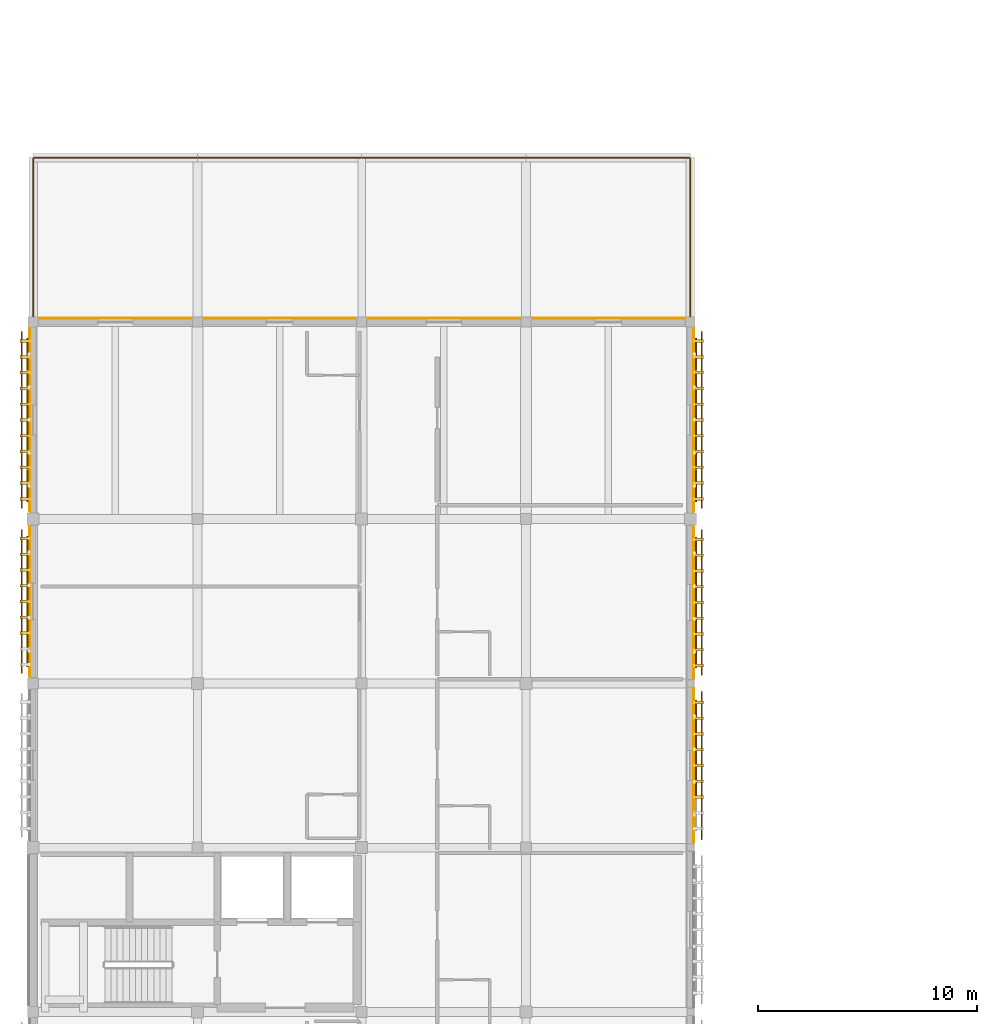
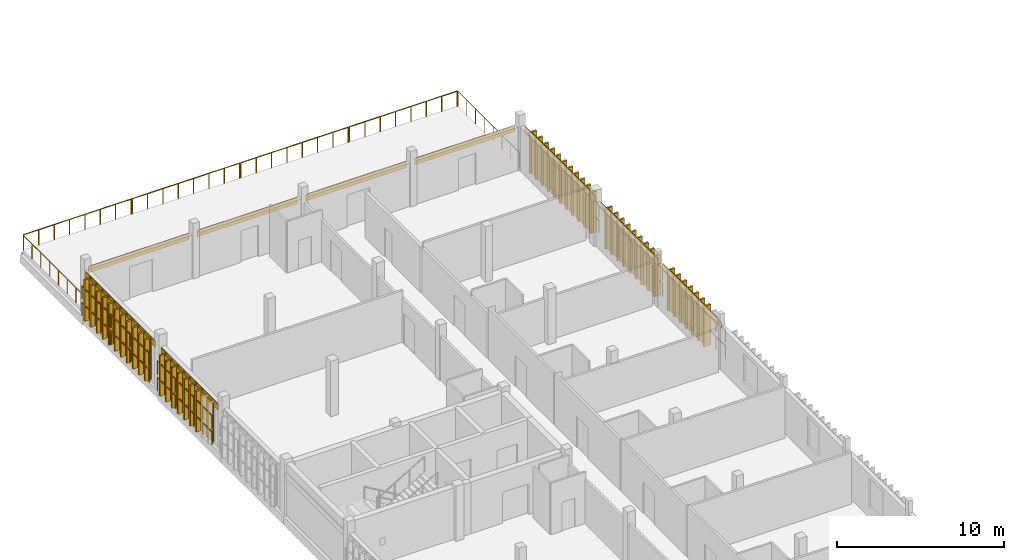
# One storey, part 17 of 17: 54 coverings, 21 shading devices, 16 railings.
"""IFC4 building model written with IfcOpenShell, lengths in metres."""

from ifc_helpers import new_model, si_unit, direction, frame, origin, origin_2d, place, context, subcontext, project, spatial, rectangle, circle, extrude, material, layer, layer_set, type_object, element, save


model = new_model("IFC4")

# Units and contexts
model_context = context("Model", 3, precision=1e-05, world=origin(), true_north=direction((0.0, 1.0)))
body_context = subcontext(model_context, "Body", "Model", "MODEL_VIEW")
ifc_project = project(units=[si_unit("LENGTHUNIT", "METRE"), si_unit("AREAUNIT", "SQUARE_METRE"), si_unit("VOLUMEUNIT", "CUBIC_METRE"), si_unit("PLANEANGLEUNIT", "RADIAN"), si_unit("MASSUNIT", "GRAM", prefix="KILO")], contexts=[model_context])

# Site, building, storey
site_placement = place(None, origin())
site = spatial("IfcSite", under=ifc_project, at=site_placement, CompositionType="ELEMENT")
building_placement = place(site_placement, origin())
building = spatial("IfcBuilding", under=site, at=building_placement, Name="Dalvernix Boulevard General Hospital", CompositionType="ELEMENT")
storey_placement = place(building_placement, frame((0.0, 0.0, 25.949951171875)))
storey = spatial("IfcBuildingStorey", under=building, at=storey_placement, Name="L06", CompositionType="ELEMENT", Elevation=25.949951171875)

# Coverings
ifc_material_1 = material(Name="Polychrome Catalan glazed ceramic spandrel tile panel")
ifc_layer_1 = layer(ifc_material_1, 0.044921875)
ifc_layer_set_1 = layer_set([ifc_layer_1], Name="Polychrome Catalan glazed ceramic spandrel tile panel (COV-CLD-01)")
covering_type_1 = type_object("IfcCoveringType", Name="COV-CLD-01", PredefinedType="CLADDING", material=ifc_layer_set_1)
covering_1_placement = place(storey_placement, frame((-0.159912109375, 72.737548828125, 2.6953125), z_axis=(0.0, 0.0, 1.0), x_axis=(0.0, 1.0, 0.0)))
element("IfcCovering", 1, at=covering_1_placement, inside=storey, type_object=covering_type_1, Name="L06 polychrome ceramic spandrel W 0-9", PredefinedType="CLADDING", context=body_context, shape_type="SweptSolid", body=[
    extrude(rectangle(XDim=6.85498046875, YDim=0.044921875, at=origin_2d()), origin(), (0.0, 0.0, 1.0), 0.449951171875),
])
covering_2_placement = place(storey_placement, frame((3.75, 85.659912109375, 2.6953125), z_axis=(0.0, 0.0, 1.0), x_axis=(1.0, 0.0, 0.0)))
element("IfcCovering", 2, at=covering_2_placement, inside=storey, type_object=covering_type_1, Name="L06 polychrome ceramic spandrel N 0-11", PredefinedType="CLADDING", context=body_context, shape_type="SweptSolid", body=[
    extrude(rectangle(XDim=6.929931640625, YDim=0.044921875, at=origin_2d()), origin(), (0.0, 0.0, 1.0), 0.449951171875),
])
covering_3_placement = place(storey_placement, frame((-0.159912109375, 81.02490234375, 2.7451171875), z_axis=(0.0, 0.0, 1.0), x_axis=(0.0, 1.0, 0.0)))
element("IfcCovering", 3, at=covering_3_placement, inside=storey, type_object=covering_type_1, Name="L06 polychrome ceramic spandrel W 0-10", PredefinedType="CLADDING", context=body_context, shape_type="SweptSolid", body=[
    extrude(rectangle(XDim=8.3798828125, YDim=0.044921875, at=origin_2d()), origin(), (0.0, 0.0, 1.0), 0.449951171875),
])
for number, where, z_axis, x_axis, name in (
    (4, (11.25, 85.659912109375, 2.6953125), (0.0, 0.0, 1.0), (1.0, 0.0, 0.0), "L06 polychrome ceramic spandrel N 1-11"),
    (5, (18.75, 85.659912109375, 2.6953125), (0.0, 0.0, 1.0), (1.0, 0.0, 0.0), "L06 polychrome ceramic spandrel N 2-11"),
):
    element("IfcCovering", number, at=place(storey_placement, frame(where, z_axis=z_axis, x_axis=x_axis)), inside=storey, type_object=covering_type_1, Name=name, PredefinedType="CLADDING", context=body_context, shape_type="SweptSolid", body=[
        extrude(rectangle(XDim=6.929931640625, YDim=0.044921875, at=origin_2d()), origin(), (0.0, 0.0, 1.0), 0.449951171875),
    ])
covering_4_placement = place(storey_placement, frame((30.159912109375, 65.25, 2.6953125), z_axis=(0.0, 0.0, 1.0), x_axis=(0.0, -1.0, 0.0)))
element("IfcCovering", 6, at=covering_4_placement, inside=storey, type_object=covering_type_1, Name="L06 polychrome ceramic spandrel E 4-8", PredefinedType="CLADDING", context=body_context, shape_type="SweptSolid", body=[
    extrude(rectangle(XDim=7.06005859375, YDim=0.044921875, at=origin_2d()), origin(), (0.0, 0.0, 1.0), 0.449951171875),
])
covering_5_placement = place(storey_placement, frame((30.159912109375, 72.6923828125, 2.6953125), z_axis=(0.0, 0.0, 1.0), x_axis=(0.0, -1.0, 0.0)))
element("IfcCovering", 7, at=covering_5_placement, inside=storey, type_object=covering_type_1, Name="L06 polychrome ceramic spandrel E 4-9", PredefinedType="CLADDING", context=body_context, shape_type="SweptSolid", body=[
    extrude(rectangle(XDim=6.945068359375, YDim=0.044921875, at=origin_2d()), origin(), (0.0, 0.0, 1.0), 0.449951171875),
])
covering_6_placement = place(storey_placement, frame((26.25, 85.659912109375, 2.6953125), z_axis=(0.0, 0.0, 1.0), x_axis=(1.0, 0.0, 0.0)))
element("IfcCovering", 8, at=covering_6_placement, inside=storey, type_object=covering_type_1, Name="L06 polychrome ceramic spandrel N 3-11", PredefinedType="CLADDING", context=body_context, shape_type="SweptSolid", body=[
    extrude(rectangle(XDim=6.929931640625, YDim=0.044921875, at=origin_2d()), origin(), (0.0, 0.0, 1.0), 0.449951171875),
])
covering_7_placement = place(storey_placement, frame((30.159912109375, 81.02490234375, 2.7451171875), z_axis=(0.0, 0.0, 1.0), x_axis=(0.0, -1.0, 0.0)))
element("IfcCovering", 9, at=covering_7_placement, inside=storey, type_object=covering_type_1, Name="L06 polychrome ceramic spandrel E 4-10", PredefinedType="CLADDING", context=body_context, shape_type="SweptSolid", body=[
    extrude(rectangle(XDim=8.3798828125, YDim=0.044921875, at=origin_2d()), origin(), (0.0, 0.0, 1.0), 0.449951171875),
])
ifc_material_2 = material(Name="Preservative-treated West African iroko timber lattice screen", Category="wood")
ifc_layer_2 = layer(ifc_material_2, 0.1201171875)
ifc_layer_set_2 = layer_set([ifc_layer_2], Name="Preservative-treated West African iroko timber lattice screen (COV-TSCR-01)")
covering_type_2 = type_object("IfcCoveringType", Name="COV-TSCR-01", PredefinedType="CLADDING", material=ifc_layer_set_2)
for number, where, z_axis, x_axis, name in (
    (10, (-0.360107421875, 71.297607421875, 0.10009765625), (0.0, 0.0, 1.0), (0.0, 1.0, 0.0), "L06 upper-ward timber screen blade W 0-9-3"),
    (11, (-0.360107421875, 72.017578125, 0.10009765625), (0.0, 0.0, 1.0), (0.0, 1.0, 0.0), "L06 upper-ward timber screen blade W 0-9-4"),
    (12, (-0.360107421875, 72.737548828125, 0.10009765625), (0.0, 0.0, 1.0), (0.0, 1.0, 0.0), "L06 upper-ward timber screen blade W 0-9-5"),
    (13, (-0.360107421875, 73.45751953125, 0.10009765625), (0.0, 0.0, 1.0), (0.0, 1.0, 0.0), "L06 upper-ward timber screen blade W 0-9-6"),
    (14, (-0.360107421875, 74.177490234375, 0.10009765625), (0.0, 0.0, 1.0), (0.0, 1.0, 0.0), "L06 upper-ward timber screen blade W 0-9-7"),
    (15, (-0.360107421875, 74.8974609375, 0.10009765625), (0.0, 0.0, 1.0), (0.0, 1.0, 0.0), "L06 upper-ward timber screen blade W 0-9-8"),
    (16, (-0.360107421875, 75.617431640625, 0.10009765625), (0.0, 0.0, 1.0), (0.0, 1.0, 0.0), "L06 upper-ward timber screen blade W 0-9-9"),
):
    element("IfcCovering", number, at=place(storey_placement, frame(where, z_axis=z_axis, x_axis=x_axis)), inside=storey, type_object=covering_type_2, Name=name, PredefinedType="CLADDING", context=body_context, shape_type="SweptSolid", body=[
        extrude(rectangle(XDim=0.1298828125, YDim=0.47998046875, at=origin_2d()), origin(), (0.0, 0.0, 1.0), 2.969970703125),
    ])
for number, where, z_axis, x_axis, name in (
    (17, (-0.360107421875, 77.425048828125, 0.10009765625), (0.0, 0.0, 1.0), (0.0, 1.0, 0.0), "L06 upper-ward timber screen blade W 0-10-1"),
    (18, (-0.360107421875, 78.14501953125, 0.10009765625), (0.0, 0.0, 1.0), (0.0, 1.0, 0.0), "L06 upper-ward timber screen blade W 0-10-2"),
    (19, (-0.360107421875, 78.864990234375, 0.10009765625), (0.0, 0.0, 1.0), (0.0, 1.0, 0.0), "L06 upper-ward timber screen blade W 0-10-3"),
    (20, (-0.360107421875, 79.5849609375, 0.10009765625), (0.0, 0.0, 1.0), (0.0, 1.0, 0.0), "L06 upper-ward timber screen blade W 0-10-4"),
    (21, (-0.360107421875, 80.304931640625, 0.10009765625), (0.0, 0.0, 1.0), (0.0, 1.0, 0.0), "L06 upper-ward timber screen blade W 0-10-5"),
    (22, (-0.360107421875, 81.02490234375, 0.10009765625), (0.0, 0.0, 1.0), (0.0, 1.0, 0.0), "L06 upper-ward timber screen blade W 0-10-6"),
    (23, (-0.360107421875, 81.7451171875, 0.10009765625), (0.0, 0.0, 1.0), (0.0, 1.0, 0.0), "L06 upper-ward timber screen blade W 0-10-7"),
    (24, (-0.360107421875, 82.465087890625, 0.10009765625), (0.0, 0.0, 1.0), (0.0, 1.0, 0.0), "L06 upper-ward timber screen blade W 0-10-8"),
    (25, (-0.360107421875, 83.18505859375, 0.10009765625), (0.0, 0.0, 1.0), (0.0, 1.0, 0.0), "L06 upper-ward timber screen blade W 0-10-9"),
    (26, (-0.360107421875, 83.905029296875, 0.10009765625), (0.0, 0.0, 1.0), (0.0, 1.0, 0.0), "L06 upper-ward timber screen blade W 0-10-10"),
    (27, (-0.360107421875, 84.625, 0.10009765625), (0.0, 0.0, 1.0), (0.0, 1.0, 0.0), "L06 upper-ward timber screen blade W 0-10-11"),
):
    element("IfcCovering", number, at=place(storey_placement, frame(where, z_axis=z_axis, x_axis=x_axis)), inside=storey, type_object=covering_type_2, Name=name, PredefinedType="CLADDING", context=body_context, shape_type="SweptSolid", body=[
        extrude(rectangle(XDim=0.1298828125, YDim=0.47998046875, at=origin_2d()), origin(), (0.0, 0.0, 1.0), 3.02001953125),
    ])
for number, where, z_axis, x_axis, name in (
    (28, (30.360107421875, 68.1298828125, 0.10009765625), (0.0, 0.0, 1.0), (0.0, -1.0, 0.0), "L06 upper-ward timber screen blade E 4-8-1"),
    (29, (30.360107421875, 67.409912109375, 0.10009765625), (0.0, 0.0, 1.0), (0.0, -1.0, 0.0), "L06 upper-ward timber screen blade E 4-8-2"),
    (30, (30.360107421875, 66.68994140625, 0.10009765625), (0.0, 0.0, 1.0), (0.0, -1.0, 0.0), "L06 upper-ward timber screen blade E 4-8-3"),
    (31, (30.360107421875, 65.969970703125, 0.10009765625), (0.0, 0.0, 1.0), (0.0, -1.0, 0.0), "L06 upper-ward timber screen blade E 4-8-4"),
    (32, (30.360107421875, 65.25, 0.10009765625), (0.0, 0.0, 1.0), (0.0, -1.0, 0.0), "L06 upper-ward timber screen blade E 4-8-5"),
    (33, (30.360107421875, 64.530029296875, 0.10009765625), (0.0, 0.0, 1.0), (0.0, -1.0, 0.0), "L06 upper-ward timber screen blade E 4-8-6"),
    (34, (30.360107421875, 63.81005859375, 0.10009765625), (0.0, 0.0, 1.0), (0.0, -1.0, 0.0), "L06 upper-ward timber screen blade E 4-8-7"),
    (35, (30.360107421875, 75.572509765625, 0.10009765625), (0.0, 0.0, 1.0), (0.0, -1.0, 0.0), "L06 upper-ward timber screen blade E 4-9-1"),
    (36, (30.360107421875, 74.8525390625, 0.10009765625), (0.0, 0.0, 1.0), (0.0, -1.0, 0.0), "L06 upper-ward timber screen blade E 4-9-2"),
    (37, (30.360107421875, 74.132568359375, 0.10009765625), (0.0, 0.0, 1.0), (0.0, -1.0, 0.0), "L06 upper-ward timber screen blade E 4-9-3"),
    (38, (30.360107421875, 73.41259765625, 0.10009765625), (0.0, 0.0, 1.0), (0.0, -1.0, 0.0), "L06 upper-ward timber screen blade E 4-9-4"),
    (39, (30.360107421875, 72.6923828125, 0.10009765625), (0.0, 0.0, 1.0), (0.0, -1.0, 0.0), "L06 upper-ward timber screen blade E 4-9-5"),
    (40, (30.360107421875, 71.972412109375, 0.10009765625), (0.0, 0.0, 1.0), (0.0, -1.0, 0.0), "L06 upper-ward timber screen blade E 4-9-6"),
    (41, (30.360107421875, 71.25244140625, 0.10009765625), (0.0, 0.0, 1.0), (0.0, -1.0, 0.0), "L06 upper-ward timber screen blade E 4-9-7"),
    (42, (30.360107421875, 70.532470703125, 0.10009765625), (0.0, 0.0, 1.0), (0.0, -1.0, 0.0), "L06 upper-ward timber screen blade E 4-9-8"),
    (43, (30.360107421875, 69.8125, 0.10009765625), (0.0, 0.0, 1.0), (0.0, -1.0, 0.0), "L06 upper-ward timber screen blade E 4-9-9"),
):
    element("IfcCovering", number, at=place(storey_placement, frame(where, z_axis=z_axis, x_axis=x_axis)), inside=storey, type_object=covering_type_2, Name=name, PredefinedType="CLADDING", context=body_context, shape_type="SweptSolid", body=[
        extrude(rectangle(XDim=0.1298828125, YDim=0.47998046875, at=origin_2d()), origin(), (0.0, 0.0, 1.0), 2.969970703125),
    ])
for number, where, z_axis, x_axis, name in (
    (44, (30.360107421875, 84.625, 0.10009765625), (0.0, 0.0, 1.0), (0.0, -1.0, 0.0), "L06 upper-ward timber screen blade E 4-10-1"),
    (45, (30.360107421875, 83.905029296875, 0.10009765625), (0.0, 0.0, 1.0), (0.0, -1.0, 0.0), "L06 upper-ward timber screen blade E 4-10-2"),
    (46, (30.360107421875, 83.18505859375, 0.10009765625), (0.0, 0.0, 1.0), (0.0, -1.0, 0.0), "L06 upper-ward timber screen blade E 4-10-3"),
    (47, (30.360107421875, 82.465087890625, 0.10009765625), (0.0, 0.0, 1.0), (0.0, -1.0, 0.0), "L06 upper-ward timber screen blade E 4-10-4"),
    (48, (30.360107421875, 81.7451171875, 0.10009765625), (0.0, 0.0, 1.0), (0.0, -1.0, 0.0), "L06 upper-ward timber screen blade E 4-10-5"),
    (49, (30.360107421875, 81.02490234375, 0.10009765625), (0.0, 0.0, 1.0), (0.0, -1.0, 0.0), "L06 upper-ward timber screen blade E 4-10-6"),
    (50, (30.360107421875, 80.304931640625, 0.10009765625), (0.0, 0.0, 1.0), (0.0, -1.0, 0.0), "L06 upper-ward timber screen blade E 4-10-7"),
    (51, (30.360107421875, 79.5849609375, 0.10009765625), (0.0, 0.0, 1.0), (0.0, -1.0, 0.0), "L06 upper-ward timber screen blade E 4-10-8"),
    (52, (30.360107421875, 78.864990234375, 0.10009765625), (0.0, 0.0, 1.0), (0.0, -1.0, 0.0), "L06 upper-ward timber screen blade E 4-10-9"),
    (53, (30.360107421875, 78.14501953125, 0.10009765625), (0.0, 0.0, 1.0), (0.0, -1.0, 0.0), "L06 upper-ward timber screen blade E 4-10-10"),
    (54, (30.360107421875, 77.425048828125, 0.10009765625), (0.0, 0.0, 1.0), (0.0, -1.0, 0.0), "L06 upper-ward timber screen blade E 4-10-11"),
):
    element("IfcCovering", number, at=place(storey_placement, frame(where, z_axis=z_axis, x_axis=x_axis)), inside=storey, type_object=covering_type_2, Name=name, PredefinedType="CLADDING", context=body_context, shape_type="SweptSolid", body=[
        extrude(rectangle(XDim=0.1298828125, YDim=0.47998046875, at=origin_2d()), origin(), (0.0, 0.0, 1.0), 3.02001953125),
    ])

# Railings
ifc_material_3 = material(Name="Powder-coated galvanized steel balustrade", Category="steel")
railing_type_1 = type_object("IfcRailingType", Name="RL-GR-EXT1", PredefinedType="BALUSTRADE", material=ifc_material_3)
for number, where, name in (
    (55, (7.5400390625, 93.0, 0.0), "L06 terrace safety balustrade 8"),
    (56, (15.0400390625, 93.0, 0.0), "L06 terrace safety balustrade 9"),
    (57, (22.5400390625, 93.0, 0.0), "L06 terrace safety balustrade 10"),
):
    element("IfcRailing", number, at=place(storey_placement, frame(where)), inside=storey, type_object=railing_type_1, Name=name, PredefinedType="BALUSTRADE", context=body_context, shape_type="SweptSolid", body=[
        extrude(circle(Radius=0.02392578125, at=origin_2d()), frame((0.0, 0.0, 1.09619140625), z_axis=(1.0, 0.0, 0.0), x_axis=(0.0, 1.0, 0.0)), (0.0, 0.0, 1.0), 7.419921875),
        extrude(circle(Radius=0.02099609375, at=origin_2d()), origin(), (0.0, 0.0, 1.0), 1.072021484375),
        extrude(circle(Radius=0.02099609375, at=origin_2d()), frame((1.06005859375, 0.0, 0.0)), (0.0, 0.0, 1.0), 1.072021484375),
        extrude(circle(Radius=0.02099609375, at=origin_2d()), frame((2.119873046875, 0.0, 0.0)), (0.0, 0.0, 1.0), 1.072021484375),
        extrude(circle(Radius=0.02099609375, at=origin_2d()), frame((3.179931640625, 0.0, 0.0)), (0.0, 0.0, 1.0), 1.072021484375),
        extrude(circle(Radius=0.02099609375, at=origin_2d()), frame((4.239990234375, 0.0, 0.0)), (0.0, 0.0, 1.0), 1.072021484375),
        extrude(circle(Radius=0.02099609375, at=origin_2d()), frame((5.300048828125, 0.0, 0.0)), (0.0, 0.0, 1.0), 1.072021484375),
        extrude(circle(Radius=0.02099609375, at=origin_2d()), frame((6.35986328125, 0.0, 0.0)), (0.0, 0.0, 1.0), 1.072021484375),
        extrude(circle(Radius=0.02099609375, at=origin_2d()), frame((7.419921875, 0.0, 0.0)), (0.0, 0.0, 1.0), 1.072021484375),
    ])
railing_1_placement = place(storey_placement, frame((30.0, 92.9599609375, 0.0)))
element("IfcRailing", 58, at=railing_1_placement, inside=storey, type_object=railing_type_1, Name="L06 terrace safety balustrade 11", PredefinedType="BALUSTRADE", context=body_context, shape_type="SweptSolid", body=[
    extrude(circle(Radius=0.02392578125, at=origin_2d()), frame((0.0, 0.0, 1.09619140625), z_axis=(0.0, -1.0, 0.0), x_axis=(1.0, 0.0, 0.0)), (0.0, 0.0, 1.0), 7.369873046875),
    extrude(circle(Radius=0.02099609375, at=origin_2d()), origin(), (0.0, 0.0, 1.0), 1.072021484375),
    extrude(circle(Radius=0.02099609375, at=origin_2d()), frame((0.0, -1.052734375, 0.0)), (0.0, 0.0, 1.0), 1.072021484375),
    extrude(circle(Radius=0.02099609375, at=origin_2d()), frame((0.0, -2.105712890625, 0.0)), (0.0, 0.0, 1.0), 1.072021484375),
    extrude(circle(Radius=0.02099609375, at=origin_2d()), frame((0.0, -3.158447265625, 0.0)), (0.0, 0.0, 1.0), 1.072021484375),
    extrude(circle(Radius=0.02099609375, at=origin_2d()), frame((0.0, -4.21142578125, 0.0)), (0.0, 0.0, 1.0), 1.072021484375),
    extrude(circle(Radius=0.02099609375, at=origin_2d()), frame((0.0, -5.26416015625, 0.0)), (0.0, 0.0, 1.0), 1.072021484375),
    extrude(circle(Radius=0.02099609375, at=origin_2d()), frame((0.0, -6.317138671875, 0.0)), (0.0, 0.0, 1.0), 1.072021484375),
    extrude(circle(Radius=0.02099609375, at=origin_2d()), frame((0.0, -7.369873046875, 0.0)), (0.0, 0.0, 1.0), 1.072021484375),
])
railing_2_placement = place(storey_placement, frame((0.0, 85.590087890625, 0.0)))
element("IfcRailing", 59, at=railing_2_placement, inside=storey, type_object=railing_type_1, Name="L06 terrace safety balustrade 12", PredefinedType="BALUSTRADE", context=body_context, shape_type="SweptSolid", body=[
    extrude(circle(Radius=0.02392578125, at=origin_2d()), frame((0.0, 0.0, 1.09619140625), z_axis=(0.0, 1.0, 0.0), x_axis=(-1.0, 0.0, 0.0)), (0.0, 0.0, 1.0), 7.369873046875),
    extrude(circle(Radius=0.02099609375, at=origin_2d()), origin(), (0.0, 0.0, 1.0), 1.072021484375),
    extrude(circle(Radius=0.02099609375, at=origin_2d()), frame((0.0, 1.052734375, 0.0)), (0.0, 0.0, 1.0), 1.072021484375),
    extrude(circle(Radius=0.02099609375, at=origin_2d()), frame((0.0, 2.105712890625, 0.0)), (0.0, 0.0, 1.0), 1.072021484375),
    extrude(circle(Radius=0.02099609375, at=origin_2d()), frame((0.0, 3.158447265625, 0.0)), (0.0, 0.0, 1.0), 1.072021484375),
    extrude(circle(Radius=0.02099609375, at=origin_2d()), frame((0.0, 4.21142578125, 0.0)), (0.0, 0.0, 1.0), 1.072021484375),
    extrude(circle(Radius=0.02099609375, at=origin_2d()), frame((0.0, 5.26416015625, 0.0)), (0.0, 0.0, 1.0), 1.072021484375),
    extrude(circle(Radius=0.02099609375, at=origin_2d()), frame((0.0, 6.317138671875, 0.0)), (0.0, 0.0, 1.0), 1.072021484375),
    extrude(circle(Radius=0.02099609375, at=origin_2d()), frame((0.0, 7.369873046875, 0.0)), (0.0, 0.0, 1.0), 1.072021484375),
])
railing_3_placement = place(storey_placement, frame((0.0400390625, 93.0, 0.0)))
element("IfcRailing", 60, at=railing_3_placement, inside=storey, type_object=railing_type_1, Name="L06 terrace safety balustrade 13", PredefinedType="BALUSTRADE", context=body_context, shape_type="SweptSolid", body=[
    extrude(circle(Radius=0.02392578125, at=origin_2d()), frame((0.0, 0.0, 1.09619140625), z_axis=(1.0, 0.0, 0.0), x_axis=(0.0, 1.0, 0.0)), (0.0, 0.0, 1.0), 7.419921875),
    extrude(circle(Radius=0.02099609375, at=origin_2d()), origin(), (0.0, 0.0, 1.0), 1.072021484375),
    extrude(circle(Radius=0.02099609375, at=origin_2d()), frame((1.06005859375, 0.0, 0.0)), (0.0, 0.0, 1.0), 1.072021484375),
    extrude(circle(Radius=0.02099609375, at=origin_2d()), frame((2.119873046875, 0.0, 0.0)), (0.0, 0.0, 1.0), 1.072021484375),
    extrude(circle(Radius=0.02099609375, at=origin_2d()), frame((3.179931640625, 0.0, 0.0)), (0.0, 0.0, 1.0), 1.072021484375),
    extrude(circle(Radius=0.02099609375, at=origin_2d()), frame((4.239990234375, 0.0, 0.0)), (0.0, 0.0, 1.0), 1.072021484375),
    extrude(circle(Radius=0.02099609375, at=origin_2d()), frame((5.300048828125, 0.0, 0.0)), (0.0, 0.0, 1.0), 1.072021484375),
    extrude(circle(Radius=0.02099609375, at=origin_2d()), frame((6.35986328125, 0.0, 0.0)), (0.0, 0.0, 1.0), 1.072021484375),
    extrude(circle(Radius=0.02099609375, at=origin_2d()), frame((7.419921875, 0.0, 0.0)), (0.0, 0.0, 1.0), 1.072021484375),
])
ifc_material_4 = material(Name="Preservative-treated iroko timber horizontal screen louver rail", Category="wood")
railing_type_2 = type_object("IfcRailingType", Name="RL-TSCR-01", PredefinedType="BALUSTRADE", material=ifc_material_4)
for number, where, name in (
    (61, (-0.52001953125, 69.47998046875, 0.25), "L06 upper-ward horizontal timber screen louver W 0-9-1"),
    (62, (-0.52001953125, 69.47998046875, 1.449951171875), "L06 upper-ward horizontal timber screen louver W 0-9-2"),
):
    element("IfcRailing", number, at=place(storey_placement, frame(where)), inside=storey, type_object=railing_type_2, Name=name, PredefinedType="BALUSTRADE", context=body_context, shape_type="SweptSolid", body=[
        extrude(circle(Radius=0.02392578125, at=origin_2d()), frame((0.0, 0.0, 0.92578125), z_axis=(0.0, 1.0, 0.0), x_axis=(-1.0, 0.0, 0.0)), (0.0, 0.0, 1.0), 6.51513671875),
        extrude(circle(Radius=0.02099609375, at=origin_2d()), origin(), (0.0, 0.0, 1.0), 0.90185546875),
        extrude(circle(Radius=0.02099609375, at=origin_2d()), frame((0.0, 1.0859375, 0.0)), (0.0, 0.0, 1.0), 0.90185546875),
        extrude(circle(Radius=0.02099609375, at=origin_2d()), frame((0.0, 2.171630859375, 0.0)), (0.0, 0.0, 1.0), 0.90185546875),
        extrude(circle(Radius=0.02099609375, at=origin_2d()), frame((0.0, 3.257568359375, 0.0)), (0.0, 0.0, 1.0), 0.90185546875),
        extrude(circle(Radius=0.02099609375, at=origin_2d()), frame((0.0, 4.343505859375, 0.0)), (0.0, 0.0, 1.0), 0.90185546875),
        extrude(circle(Radius=0.02099609375, at=origin_2d()), frame((0.0, 5.42919921875, 0.0)), (0.0, 0.0, 1.0), 0.90185546875),
        extrude(circle(Radius=0.02099609375, at=origin_2d()), frame((0.0, 6.51513671875, 0.0)), (0.0, 0.0, 1.0), 0.90185546875),
    ])
for number, where, name in (
    (63, (-0.52001953125, 77.0048828125, 0.25), "L06 upper-ward horizontal timber screen louver W 0-10-1"),
    (64, (-0.52001953125, 77.0048828125, 1.449951171875), "L06 upper-ward horizontal timber screen louver W 0-10-2"),
):
    element("IfcRailing", number, at=place(storey_placement, frame(where)), inside=storey, type_object=railing_type_2, Name=name, PredefinedType="BALUSTRADE", context=body_context, shape_type="SweptSolid", body=[
        extrude(circle(Radius=0.02392578125, at=origin_2d()), frame((0.0, 0.0, 0.92578125), z_axis=(0.0, 1.0, 0.0), x_axis=(-1.0, 0.0, 0.0)), (0.0, 0.0, 1.0), 8.0400390625),
        extrude(circle(Radius=0.02099609375, at=origin_2d()), origin(), (0.0, 0.0, 1.0), 0.90185546875),
        extrude(circle(Radius=0.02099609375, at=origin_2d()), frame((0.0, 1.148681640625, 0.0)), (0.0, 0.0, 1.0), 0.90185546875),
        extrude(circle(Radius=0.02099609375, at=origin_2d()), frame((0.0, 2.297119140625, 0.0)), (0.0, 0.0, 1.0), 0.90185546875),
        extrude(circle(Radius=0.02099609375, at=origin_2d()), frame((0.0, 3.44580078125, 0.0)), (0.0, 0.0, 1.0), 0.90185546875),
        extrude(circle(Radius=0.02099609375, at=origin_2d()), frame((0.0, 4.59423828125, 0.0)), (0.0, 0.0, 1.0), 0.90185546875),
        extrude(circle(Radius=0.02099609375, at=origin_2d()), frame((0.0, 5.742919921875, 0.0)), (0.0, 0.0, 1.0), 0.90185546875),
        extrude(circle(Radius=0.02099609375, at=origin_2d()), frame((0.0, 6.891357421875, 0.0)), (0.0, 0.0, 1.0), 0.90185546875),
        extrude(circle(Radius=0.02099609375, at=origin_2d()), frame((0.0, 8.0400390625, 0.0)), (0.0, 0.0, 1.0), 0.90185546875),
    ])
for number, where, name in (
    (65, (30.52001953125, 68.610107421875, 0.25), "L06 upper-ward horizontal timber screen louver E 4-8-1"),
    (66, (30.52001953125, 68.610107421875, 1.449951171875), "L06 upper-ward horizontal timber screen louver E 4-8-2"),
):
    element("IfcRailing", number, at=place(storey_placement, frame(where)), inside=storey, type_object=railing_type_2, Name=name, PredefinedType="BALUSTRADE", context=body_context, shape_type="SweptSolid", body=[
        extrude(circle(Radius=0.02392578125, at=origin_2d()), frame((0.0, 0.0, 0.92578125), z_axis=(0.0, -1.0, 0.0), x_axis=(1.0, 0.0, 0.0)), (0.0, 0.0, 1.0), 6.72021484375),
        extrude(circle(Radius=0.02099609375, at=origin_2d()), origin(), (0.0, 0.0, 1.0), 0.90185546875),
        extrude(circle(Radius=0.02099609375, at=origin_2d()), frame((0.0, -1.1201171875, 0.0)), (0.0, 0.0, 1.0), 0.90185546875),
        extrude(circle(Radius=0.02099609375, at=origin_2d()), frame((0.0, -2.239990234375, 0.0)), (0.0, 0.0, 1.0), 0.90185546875),
        extrude(circle(Radius=0.02099609375, at=origin_2d()), frame((0.0, -3.360107421875, 0.0)), (0.0, 0.0, 1.0), 0.90185546875),
        extrude(circle(Radius=0.02099609375, at=origin_2d()), frame((0.0, -4.480224609375, 0.0)), (0.0, 0.0, 1.0), 0.90185546875),
        extrude(circle(Radius=0.02099609375, at=origin_2d()), frame((0.0, -5.60009765625, 0.0)), (0.0, 0.0, 1.0), 0.90185546875),
        extrude(circle(Radius=0.02099609375, at=origin_2d()), frame((0.0, -6.72021484375, 0.0)), (0.0, 0.0, 1.0), 0.90185546875),
    ])
for number, where, name in (
    (67, (30.52001953125, 75.9951171875, 0.25), "L06 upper-ward horizontal timber screen louver E 4-9-1"),
    (68, (30.52001953125, 75.9951171875, 1.449951171875), "L06 upper-ward horizontal timber screen louver E 4-9-2"),
):
    element("IfcRailing", number, at=place(storey_placement, frame(where)), inside=storey, type_object=railing_type_2, Name=name, PredefinedType="BALUSTRADE", context=body_context, shape_type="SweptSolid", body=[
        extrude(circle(Radius=0.02392578125, at=origin_2d()), frame((0.0, 0.0, 0.92578125), z_axis=(0.0, -1.0, 0.0), x_axis=(1.0, 0.0, 0.0)), (0.0, 0.0, 1.0), 6.605224609375),
        extrude(circle(Radius=0.02099609375, at=origin_2d()), origin(), (0.0, 0.0, 1.0), 0.90185546875),
        extrude(circle(Radius=0.02099609375, at=origin_2d()), frame((0.0, -1.100830078125, 0.0)), (0.0, 0.0, 1.0), 0.90185546875),
        extrude(circle(Radius=0.02099609375, at=origin_2d()), frame((0.0, -2.20166015625, 0.0)), (0.0, 0.0, 1.0), 0.90185546875),
        extrude(circle(Radius=0.02099609375, at=origin_2d()), frame((0.0, -3.302734375, 0.0)), (0.0, 0.0, 1.0), 0.90185546875),
        extrude(circle(Radius=0.02099609375, at=origin_2d()), frame((0.0, -4.403564453125, 0.0)), (0.0, 0.0, 1.0), 0.90185546875),
        extrude(circle(Radius=0.02099609375, at=origin_2d()), frame((0.0, -5.50439453125, 0.0)), (0.0, 0.0, 1.0), 0.90185546875),
        extrude(circle(Radius=0.02099609375, at=origin_2d()), frame((0.0, -6.605224609375, 0.0)), (0.0, 0.0, 1.0), 0.90185546875),
    ])
for number, where, name in (
    (69, (30.52001953125, 85.044921875, 0.25), "L06 upper-ward horizontal timber screen louver E 4-10-1"),
    (70, (30.52001953125, 85.044921875, 1.449951171875), "L06 upper-ward horizontal timber screen louver E 4-10-2"),
):
    element("IfcRailing", number, at=place(storey_placement, frame(where)), inside=storey, type_object=railing_type_2, Name=name, PredefinedType="BALUSTRADE", context=body_context, shape_type="SweptSolid", body=[
        extrude(circle(Radius=0.02392578125, at=origin_2d()), frame((0.0, 0.0, 0.92578125), z_axis=(0.0, -1.0, 0.0), x_axis=(1.0, 0.0, 0.0)), (0.0, 0.0, 1.0), 8.0400390625),
        extrude(circle(Radius=0.02099609375, at=origin_2d()), origin(), (0.0, 0.0, 1.0), 0.90185546875),
        extrude(circle(Radius=0.02099609375, at=origin_2d()), frame((0.0, -1.148681640625, 0.0)), (0.0, 0.0, 1.0), 0.90185546875),
        extrude(circle(Radius=0.02099609375, at=origin_2d()), frame((0.0, -2.297119140625, 0.0)), (0.0, 0.0, 1.0), 0.90185546875),
        extrude(circle(Radius=0.02099609375, at=origin_2d()), frame((0.0, -3.44580078125, 0.0)), (0.0, 0.0, 1.0), 0.90185546875),
        extrude(circle(Radius=0.02099609375, at=origin_2d()), frame((0.0, -4.59423828125, 0.0)), (0.0, 0.0, 1.0), 0.90185546875),
        extrude(circle(Radius=0.02099609375, at=origin_2d()), frame((0.0, -5.742919921875, 0.0)), (0.0, 0.0, 1.0), 0.90185546875),
        extrude(circle(Radius=0.02099609375, at=origin_2d()), frame((0.0, -6.891357421875, 0.0)), (0.0, 0.0, 1.0), 0.90185546875),
        extrude(circle(Radius=0.02099609375, at=origin_2d()), frame((0.0, -8.0400390625, 0.0)), (0.0, 0.0, 1.0), 0.90185546875),
    ])

# Shading devices
ifc_material_5 = material(Name="Perforated iroko timber and glazed ceramic screen (30 percent open)", Category="wood")
shading_device_type = type_object("IfcShadingDeviceType", Name="SHD-SCR-01", PredefinedType="USERDEFINED", material=ifc_material_5)
for number, where, z_axis, x_axis, name in (
    (71, (-0.260009765625, 70.487548828125, 0.14990234375), (0.0, 0.0, 1.0), (0.0, 1.0, 0.0), "L06 perforated timber screen 1"),
    (72, (-0.260009765625, 71.987548828125, 0.14990234375), (0.0, 0.0, 1.0), (0.0, 1.0, 0.0), "L06 perforated timber screen 2"),
    (73, (-0.260009765625, 73.487548828125, 0.14990234375), (0.0, 0.0, 1.0), (0.0, 1.0, 0.0), "L06 perforated timber screen 3"),
    (74, (-0.260009765625, 74.987548828125, 0.14990234375), (0.0, 0.0, 1.0), (0.0, 1.0, 0.0), "L06 perforated timber screen 4"),
):
    element("IfcShadingDevice", number, at=place(storey_placement, frame(where, z_axis=z_axis, x_axis=x_axis)), inside=storey, type_object=shading_device_type, Name=name, ObjectType="SCREEN", PredefinedType="USERDEFINED", context=body_context, shape_type="SweptSolid", body=[
        extrude(rectangle(XDim=1.4599609375, YDim=0.080078125, at=origin_2d()), origin(), (0.0, 0.0, 1.0), 2.8701171875),
    ])
for number, where, z_axis, x_axis, name in (
    (75, (-0.260009765625, 78.02490234375, 0.150146484375), (0.0, 0.0, 1.0), (0.0, 1.0, 0.0), "L06 perforated timber screen 1"),
    (76, (-0.260009765625, 79.52490234375, 0.150146484375), (0.0, 0.0, 1.0), (0.0, 1.0, 0.0), "L06 perforated timber screen 2"),
    (77, (-0.260009765625, 81.02490234375, 0.150146484375), (0.0, 0.0, 1.0), (0.0, 1.0, 0.0), "L06 perforated timber screen 3"),
    (78, (-0.260009765625, 82.52490234375, 0.150146484375), (0.0, 0.0, 1.0), (0.0, 1.0, 0.0), "L06 perforated timber screen 4"),
    (79, (-0.260009765625, 84.02490234375, 0.150146484375), (0.0, 0.0, 1.0), (0.0, 1.0, 0.0), "L06 perforated timber screen 5"),
):
    element("IfcShadingDevice", number, at=place(storey_placement, frame(where, z_axis=z_axis, x_axis=x_axis)), inside=storey, type_object=shading_device_type, Name=name, ObjectType="SCREEN", PredefinedType="USERDEFINED", context=body_context, shape_type="SweptSolid", body=[
        extrude(rectangle(XDim=1.4599609375, YDim=0.080078125, at=origin_2d()), origin(), (0.0, 0.0, 1.0), 2.919921875),
    ])
for number, where, z_axis, x_axis, name in (
    (80, (30.260009765625, 67.5, 0.14990234375), (0.0, 0.0, 1.0), (0.0, -1.0, 0.0), "L06 perforated timber screen 1"),
    (81, (30.260009765625, 66.0, 0.14990234375), (0.0, 0.0, 1.0), (0.0, -1.0, 0.0), "L06 perforated timber screen 2"),
    (82, (30.260009765625, 64.5, 0.14990234375), (0.0, 0.0, 1.0), (0.0, -1.0, 0.0), "L06 perforated timber screen 3"),
    (83, (30.260009765625, 74.9423828125, 0.14990234375), (0.0, 0.0, 1.0), (0.0, -1.0, 0.0), "L06 perforated timber screen 1"),
    (84, (30.260009765625, 73.4423828125, 0.14990234375), (0.0, 0.0, 1.0), (0.0, -1.0, 0.0), "L06 perforated timber screen 2"),
    (85, (30.260009765625, 71.9423828125, 0.14990234375), (0.0, 0.0, 1.0), (0.0, -1.0, 0.0), "L06 perforated timber screen 3"),
    (86, (30.260009765625, 70.4423828125, 0.14990234375), (0.0, 0.0, 1.0), (0.0, -1.0, 0.0), "L06 perforated timber screen 4"),
):
    element("IfcShadingDevice", number, at=place(storey_placement, frame(where, z_axis=z_axis, x_axis=x_axis)), inside=storey, type_object=shading_device_type, Name=name, ObjectType="SCREEN", PredefinedType="USERDEFINED", context=body_context, shape_type="SweptSolid", body=[
        extrude(rectangle(XDim=1.4599609375, YDim=0.080078125, at=origin_2d()), origin(), (0.0, 0.0, 1.0), 2.8701171875),
    ])
for number, where, z_axis, x_axis, name in (
    (87, (30.260009765625, 84.02490234375, 0.150146484375), (0.0, 0.0, 1.0), (0.0, -1.0, 0.0), "L06 perforated timber screen 1"),
    (88, (30.260009765625, 82.52490234375, 0.150146484375), (0.0, 0.0, 1.0), (0.0, -1.0, 0.0), "L06 perforated timber screen 2"),
    (89, (30.260009765625, 81.02490234375, 0.150146484375), (0.0, 0.0, 1.0), (0.0, -1.0, 0.0), "L06 perforated timber screen 3"),
    (90, (30.260009765625, 79.52490234375, 0.150146484375), (0.0, 0.0, 1.0), (0.0, -1.0, 0.0), "L06 perforated timber screen 4"),
    (91, (30.260009765625, 78.02490234375, 0.150146484375), (0.0, 0.0, 1.0), (0.0, -1.0, 0.0), "L06 perforated timber screen 5"),
):
    element("IfcShadingDevice", number, at=place(storey_placement, frame(where, z_axis=z_axis, x_axis=x_axis)), inside=storey, type_object=shading_device_type, Name=name, ObjectType="SCREEN", PredefinedType="USERDEFINED", context=body_context, shape_type="SweptSolid", body=[
        extrude(rectangle(XDim=1.4599609375, YDim=0.080078125, at=origin_2d()), origin(), (0.0, 0.0, 1.0), 2.919921875),
    ])

save(model, "model.ifc")
